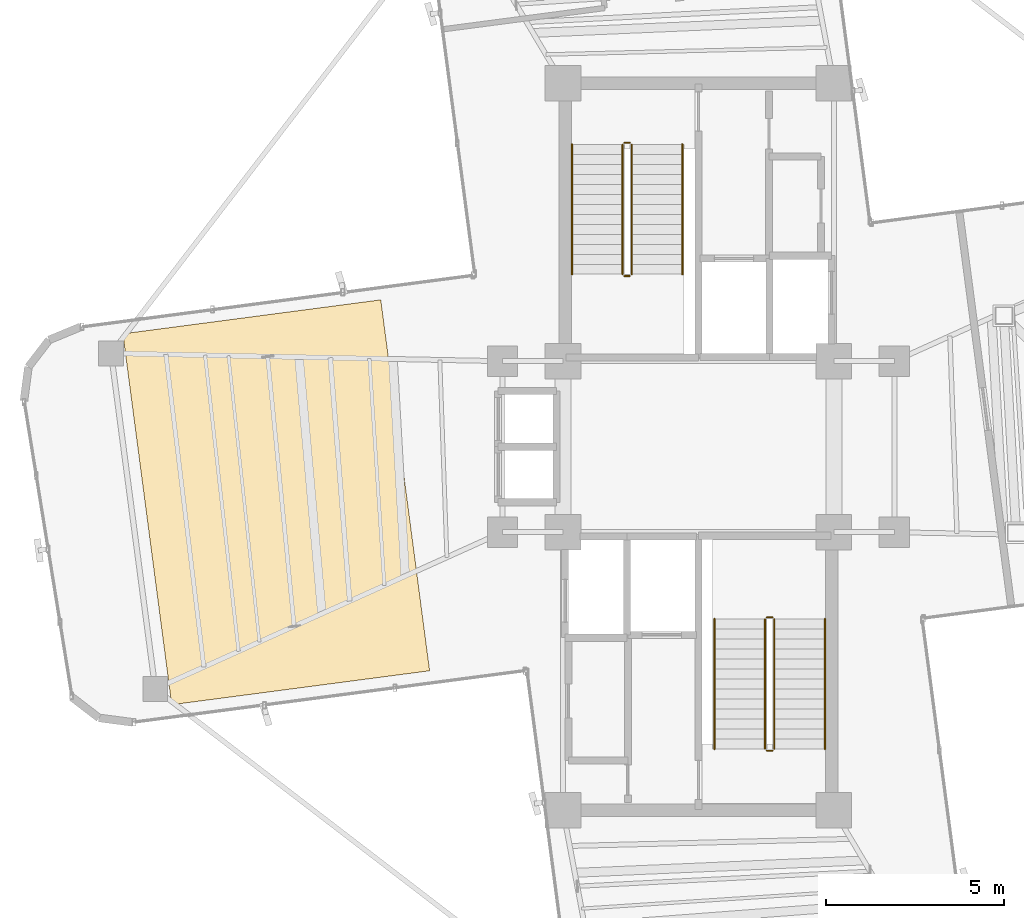
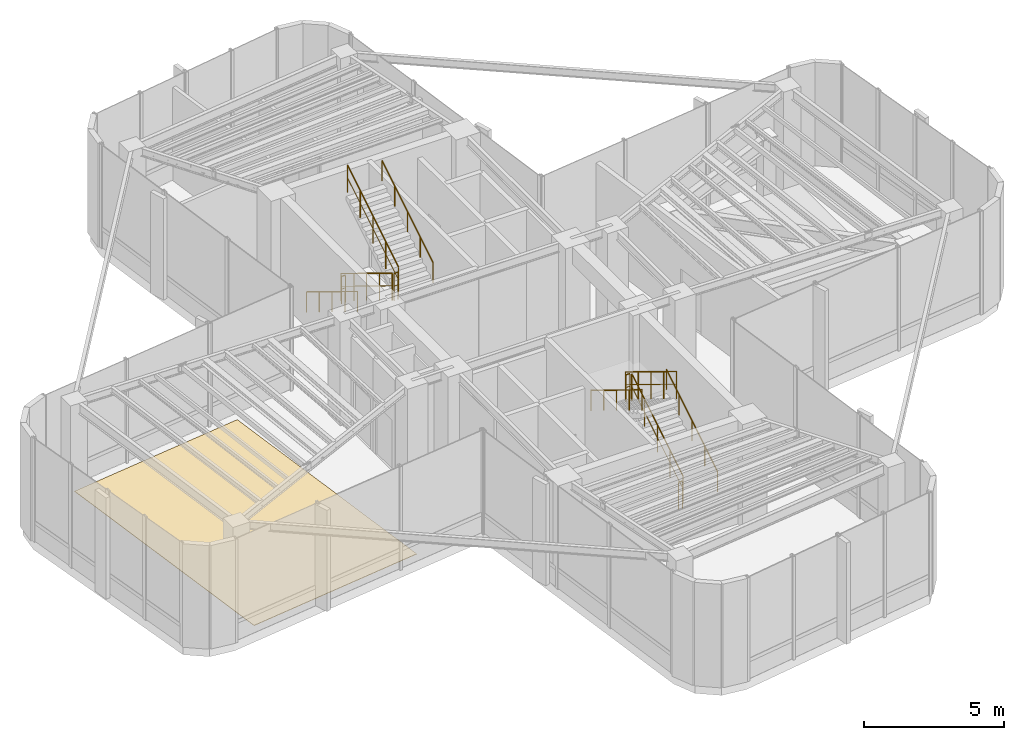
# One storey, part 16 of 16: 12 railings, 1 covering.
"""IFC4 building model written with IfcOpenShell, lengths in metres."""

from ifc_helpers import new_model, si_unit, direction, frame, origin, origin_2d, place, context, subcontext, project, spatial, polyline, circle, outline, extrude, material, layer, layer_set, type_object, element, save


model = new_model("IFC4")

# Units and contexts
model_context = context("Model", 3, precision=1e-05, world=origin(), true_north=direction((0.0, 1.0)))
body_context = subcontext(model_context, "Body", "Model", "MODEL_VIEW")
ifc_project = project(units=[si_unit("LENGTHUNIT", "METRE"), si_unit("AREAUNIT", "SQUARE_METRE"), si_unit("VOLUMEUNIT", "CUBIC_METRE"), si_unit("PLANEANGLEUNIT", "RADIAN"), si_unit("MASSUNIT", "GRAM", prefix="KILO")], contexts=[model_context])

# Site, building, storey
site_placement = place(None, origin())
site = spatial("IfcSite", under=ifc_project, at=site_placement, CompositionType="ELEMENT")
building_placement = place(site_placement, origin())
building = spatial("IfcBuilding", under=site, at=building_placement, Name="Sahyath Konkavel Grand Hotel", CompositionType="ELEMENT")
storey_placement = place(building_placement, frame((0.0, 0.0, 280.300048828125)))
storey = spatial("IfcBuildingStorey", under=building, at=storey_placement, Name="L78", CompositionType="ELEMENT", Elevation=280.300048828125)

# Covering
ifc_material_1 = material(Name="Polished Konkan Aggregate Terrazzo Flooring")
ifc_layer = layer(ifc_material_1, 0.02001953125)
ifc_layer_set = layer_set([ifc_layer], Name="Polished Konkan Aggregate Terrazzo Flooring")
covering_type = type_object("IfcCoveringType", Name="COV-TERRAZZO", PredefinedType="FLOORING", material=ifc_layer_set)
covering_placement = place(storey_placement, origin())
element("IfcCovering", 1, at=covering_placement, inside=storey, type_object=covering_type, Name="L78 Viewing Gallery Terrazzo Flooring", PredefinedType="FLOORING", context=body_context, shape_type="SweptSolid", body=[
    extrude(outline(polyline([(-8.914306640625, 4.12158203125), (-16.15185546875, 3.1689453125), (-14.78125, -7.2412109375), (-7.543701171875, -6.28857421875), (-8.914306640625, 4.12158203125)])), origin(), (0.0, 0.0, 1.0), 0.02001953125),
])

# Railings
ifc_material_2 = material(Name="Steel E350", Category="steel")
railing_type_1 = type_object("IfcRailingType", Name="RLG-STAIR-GRD", PredefinedType="GUARDRAIL", material=ifc_material_2)
railing_1_placement = place(storey_placement, frame((-2.1298828125, 8.47998046875, 0.17138671875)))
element("IfcRailing", 2, at=railing_1_placement, inside=storey, type_object=railing_type_1, Name="L78 ST-1 stair guard 1", PredefinedType="GUARDRAIL", context=body_context, shape_type="SweptSolid", body=[
    extrude(circle(Radius=0.02392578125, at=origin_2d()), frame((0.0, -0.001708984375, 1.177001953125), z_axis=(0.0, -0.852850264322, 0.5221555579), x_axis=(1.0, 0.0, 0.0)), (0.0, 0.0, 1.0), 4.263916015625),
    extrude(circle(Radius=0.01416015625, at=origin_2d()), frame((0.0, -0.001708984375, 0.625), z_axis=(0.0, -0.852850264322, 0.5221555579), x_axis=(1.0, 0.0, 0.0)), (0.0, 0.0, 1.0), 4.263916015625),
    extrude(circle(Radius=0.02099609375, at=origin_2d()), origin(), (0.0, 0.0, 1.0), 1.15185546875),
    extrude(circle(Radius=0.02099609375, at=origin_2d()), frame((0.0, -0.909912109375, 0.55712890625)), (0.0, 0.0, 1.0), 1.15185546875),
    extrude(circle(Radius=0.02099609375, at=origin_2d()), frame((0.0, -1.81982421875, 1.1142578125)), (0.0, 0.0, 1.0), 1.15185546875),
    extrude(circle(Radius=0.02099609375, at=origin_2d()), frame((0.0, -2.72998046875, 1.67138671875)), (0.0, 0.0, 1.0), 1.15185546875),
    extrude(circle(Radius=0.02099609375, at=origin_2d()), frame((0.0, -3.639892578125, 2.228515625)), (0.0, 0.0, 1.0), 1.15185546875),
])
railing_2_placement = place(storey_placement, frame((-2.080078125, 4.7900390625, 2.39990234375)))
element("IfcRailing", 3, at=railing_2_placement, inside=storey, type_object=railing_type_1, Name="L78 ST-1 stair guard 2", PredefinedType="GUARDRAIL", context=body_context, shape_type="SweptSolid", body=[
    extrude(circle(Radius=0.02392578125, at=origin_2d()), frame((0.001953125, 0.0, 1.17578125), z_axis=(1.0, 0.0, 0.0), x_axis=(0.0, 1.0, 0.0)), (0.0, 0.0, 1.0), 0.15625),
    extrude(circle(Radius=0.01416015625, at=origin_2d()), frame((0.001953125, 0.0, 0.6240234375), z_axis=(1.0, 0.0, 0.0), x_axis=(0.0, 1.0, 0.0)), (0.0, 0.0, 1.0), 0.15625),
    extrude(circle(Radius=0.02099609375, at=origin_2d()), origin(), (0.0, 0.0, 1.0), 1.15185546875),
    extrude(circle(Radius=0.02099609375, at=origin_2d()), frame((0.16015625, 0.0, 0.0)), (0.0, 0.0, 1.0), 1.15185546875),
])
railing_3_placement = place(storey_placement, frame((-1.8701171875, 4.840087890625, 2.5712890625)))
element("IfcRailing", 4, at=railing_3_placement, inside=storey, type_object=railing_type_1, Name="L78 ST-1 stair guard 3", PredefinedType="GUARDRAIL", context=body_context, shape_type="SweptSolid", body=[
    extrude(circle(Radius=0.02392578125, at=origin_2d()), frame((0.0, 0.001708984375, 1.177001953125), z_axis=(0.0, 0.852824790078, 0.522197163366), x_axis=(-1.0, 0.0, 0.0)), (0.0, 0.0, 1.0), 4.26416015625),
    extrude(circle(Radius=0.01416015625, at=origin_2d()), frame((0.0, 0.001708984375, 0.625), z_axis=(0.0, 0.852824790078, 0.522197163366), x_axis=(-1.0, 0.0, 0.0)), (0.0, 0.0, 1.0), 4.26416015625),
    extrude(circle(Radius=0.02099609375, at=origin_2d()), origin(), (0.0, 0.0, 1.0), 1.15185546875),
    extrude(circle(Radius=0.02099609375, at=origin_2d()), frame((0.0, 0.909912109375, 0.55712890625)), (0.0, 0.0, 1.0), 1.15185546875),
    extrude(circle(Radius=0.02099609375, at=origin_2d()), frame((0.0, 1.81982421875, 1.1142578125)), (0.0, 0.0, 1.0), 1.15185546875),
    extrude(circle(Radius=0.02099609375, at=origin_2d()), frame((0.0, 2.72998046875, 1.671630859375)), (0.0, 0.0, 1.0), 1.15185546875),
    extrude(circle(Radius=0.02099609375, at=origin_2d()), frame((0.0, 3.639892578125, 2.228759765625)), (0.0, 0.0, 1.0), 1.15185546875),
])
railing_4_placement = place(storey_placement, frame((-2.080078125, 8.530029296875, 0.0)))
element("IfcRailing", 5, at=railing_4_placement, inside=storey, type_object=railing_type_1, Name="L78 ST-1 stair guard 4", PredefinedType="GUARDRAIL", context=body_context, shape_type="SweptSolid", body=[
    extrude(circle(Radius=0.02392578125, at=origin_2d()), frame((0.001953125, 0.0, 1.17578125), z_axis=(1.0, 0.0, 0.0), x_axis=(0.0, 1.0, 0.0)), (0.0, 0.0, 1.0), 0.15625),
    extrude(circle(Radius=0.01416015625, at=origin_2d()), frame((0.001953125, 0.0, 0.6240234375), z_axis=(1.0, 0.0, 0.0), x_axis=(0.0, 1.0, 0.0)), (0.0, 0.0, 1.0), 0.15625),
    extrude(circle(Radius=0.02099609375, at=origin_2d()), origin(), (0.0, 0.0, 1.0), 1.15185546875),
    extrude(circle(Radius=0.02099609375, at=origin_2d()), frame((0.16015625, 0.0, 0.0)), (0.0, 0.0, 1.0), 1.15185546875),
])
railing_5_placement = place(storey_placement, frame((2.1298828125, -8.47998046875, 0.17138671875)))
element("IfcRailing", 6, at=railing_5_placement, inside=storey, type_object=railing_type_1, Name="L78 ST-2 stair guard 1", PredefinedType="GUARDRAIL", context=body_context, shape_type="SweptSolid", body=[
    extrude(circle(Radius=0.02392578125, at=origin_2d()), frame((0.0, 0.001708984375, 1.177001953125), z_axis=(0.0, 0.852850264322, 0.5221555579), x_axis=(-1.0, 0.0, 0.0)), (0.0, 0.0, 1.0), 4.263916015625),
    extrude(circle(Radius=0.01416015625, at=origin_2d()), frame((0.0, 0.001708984375, 0.625), z_axis=(0.0, 0.852850264322, 0.5221555579), x_axis=(-1.0, 0.0, 0.0)), (0.0, 0.0, 1.0), 4.263916015625),
    extrude(circle(Radius=0.02099609375, at=origin_2d()), origin(), (0.0, 0.0, 1.0), 1.15185546875),
    extrude(circle(Radius=0.02099609375, at=origin_2d()), frame((0.0, 0.909912109375, 0.55712890625)), (0.0, 0.0, 1.0), 1.15185546875),
    extrude(circle(Radius=0.02099609375, at=origin_2d()), frame((0.0, 1.81982421875, 1.1142578125)), (0.0, 0.0, 1.0), 1.15185546875),
    extrude(circle(Radius=0.02099609375, at=origin_2d()), frame((0.0, 2.72998046875, 1.67138671875)), (0.0, 0.0, 1.0), 1.15185546875),
    extrude(circle(Radius=0.02099609375, at=origin_2d()), frame((0.0, 3.639892578125, 2.228515625)), (0.0, 0.0, 1.0), 1.15185546875),
])
railing_6_placement = place(storey_placement, frame((2.080078125, -4.7900390625, 2.39990234375)))
element("IfcRailing", 7, at=railing_6_placement, inside=storey, type_object=railing_type_1, Name="L78 ST-2 stair guard 2", PredefinedType="GUARDRAIL", context=body_context, shape_type="SweptSolid", body=[
    extrude(circle(Radius=0.02392578125, at=origin_2d()), frame((-0.001953125, 0.0, 1.17578125), z_axis=(-1.0, 0.0, 0.0), x_axis=(0.0, -1.0, 0.0)), (0.0, 0.0, 1.0), 0.15625),
    extrude(circle(Radius=0.01416015625, at=origin_2d()), frame((-0.001953125, 0.0, 0.6240234375), z_axis=(-1.0, 0.0, 0.0), x_axis=(0.0, -1.0, 0.0)), (0.0, 0.0, 1.0), 0.15625),
    extrude(circle(Radius=0.02099609375, at=origin_2d()), origin(), (0.0, 0.0, 1.0), 1.15185546875),
    extrude(circle(Radius=0.02099609375, at=origin_2d()), frame((-0.16015625, 0.0, 0.0)), (0.0, 0.0, 1.0), 1.15185546875),
])
railing_7_placement = place(storey_placement, frame((1.8701171875, -4.840087890625, 2.5712890625)))
element("IfcRailing", 8, at=railing_7_placement, inside=storey, type_object=railing_type_1, Name="L78 ST-2 stair guard 3", PredefinedType="GUARDRAIL", context=body_context, shape_type="SweptSolid", body=[
    extrude(circle(Radius=0.02392578125, at=origin_2d()), frame((0.0, -0.001708984375, 1.177001953125), z_axis=(0.0, -0.852824790078, 0.522197163366), x_axis=(1.0, 0.0, 0.0)), (0.0, 0.0, 1.0), 4.26416015625),
    extrude(circle(Radius=0.01416015625, at=origin_2d()), frame((0.0, -0.001708984375, 0.625), z_axis=(0.0, -0.852824790078, 0.522197163366), x_axis=(1.0, 0.0, 0.0)), (0.0, 0.0, 1.0), 4.26416015625),
    extrude(circle(Radius=0.02099609375, at=origin_2d()), origin(), (0.0, 0.0, 1.0), 1.15185546875),
    extrude(circle(Radius=0.02099609375, at=origin_2d()), frame((0.0, -0.909912109375, 0.55712890625)), (0.0, 0.0, 1.0), 1.15185546875),
    extrude(circle(Radius=0.02099609375, at=origin_2d()), frame((0.0, -1.81982421875, 1.1142578125)), (0.0, 0.0, 1.0), 1.15185546875),
    extrude(circle(Radius=0.02099609375, at=origin_2d()), frame((0.0, -2.72998046875, 1.671630859375)), (0.0, 0.0, 1.0), 1.15185546875),
    extrude(circle(Radius=0.02099609375, at=origin_2d()), frame((0.0, -3.639892578125, 2.228759765625)), (0.0, 0.0, 1.0), 1.15185546875),
])
railing_8_placement = place(storey_placement, frame((2.080078125, -8.530029296875, 0.0)))
element("IfcRailing", 9, at=railing_8_placement, inside=storey, type_object=railing_type_1, Name="L78 ST-2 stair guard 4", PredefinedType="GUARDRAIL", context=body_context, shape_type="SweptSolid", body=[
    extrude(circle(Radius=0.02392578125, at=origin_2d()), frame((-0.001953125, 0.0, 1.17578125), z_axis=(-1.0, 0.0, 0.0), x_axis=(0.0, -1.0, 0.0)), (0.0, 0.0, 1.0), 0.15625),
    extrude(circle(Radius=0.01416015625, at=origin_2d()), frame((-0.001953125, 0.0, 0.6240234375), z_axis=(-1.0, 0.0, 0.0), x_axis=(0.0, -1.0, 0.0)), (0.0, 0.0, 1.0), 0.15625),
    extrude(circle(Radius=0.02099609375, at=origin_2d()), origin(), (0.0, 0.0, 1.0), 1.15185546875),
    extrude(circle(Radius=0.02099609375, at=origin_2d()), frame((-0.16015625, 0.0, 0.0)), (0.0, 0.0, 1.0), 1.15185546875),
])
ifc_material_3 = material(Name="Anodised Bronze Aluminium", Category="aluminium")
railing_type_2 = type_object("IfcRailingType", Name="RLG-STAIR-HND", PredefinedType="HANDRAIL", material=ifc_material_3)
railing_9_placement = place(storey_placement, frame((-3.550048828125, 8.47998046875, 0.17138671875)))
element("IfcRailing", 10, at=railing_9_placement, inside=storey, type_object=railing_type_2, Name="L78 ST-1 stair handrail 1", PredefinedType="HANDRAIL", context=body_context, shape_type="SweptSolid", body=[
    extrude(circle(Radius=0.02392578125, at=origin_2d()), frame((0.0, -0.001708984375, 0.876953125), z_axis=(0.0, -0.852850264322, 0.5221555579), x_axis=(1.0, 0.0, 0.0)), (0.0, 0.0, 1.0), 4.263916015625),
    extrude(circle(Radius=0.02099609375, at=origin_2d()), origin(), (0.0, 0.0, 1.0), 0.851806640625),
    extrude(circle(Radius=0.02099609375, at=origin_2d()), frame((0.0, -0.909912109375, 0.55712890625)), (0.0, 0.0, 1.0), 0.851806640625),
    extrude(circle(Radius=0.02099609375, at=origin_2d()), frame((0.0, -1.81982421875, 1.1142578125)), (0.0, 0.0, 1.0), 0.851806640625),
    extrude(circle(Radius=0.02099609375, at=origin_2d()), frame((0.0, -2.72998046875, 1.67138671875)), (0.0, 0.0, 1.0), 0.851806640625),
    extrude(circle(Radius=0.02099609375, at=origin_2d()), frame((0.0, -3.639892578125, 2.228515625)), (0.0, 0.0, 1.0), 0.851806640625),
])
railing_10_placement = place(storey_placement, frame((-0.449951171875, 4.840087890625, 2.5712890625)))
element("IfcRailing", 11, at=railing_10_placement, inside=storey, type_object=railing_type_2, Name="L78 ST-1 stair handrail 2", PredefinedType="HANDRAIL", context=body_context, shape_type="SweptSolid", body=[
    extrude(circle(Radius=0.02392578125, at=origin_2d()), frame((0.0, 0.001708984375, 0.876953125), z_axis=(0.0, 0.852824790078, 0.522197163366), x_axis=(-1.0, 0.0, 0.0)), (0.0, 0.0, 1.0), 4.26416015625),
    extrude(circle(Radius=0.02099609375, at=origin_2d()), origin(), (0.0, 0.0, 1.0), 0.851806640625),
    extrude(circle(Radius=0.02099609375, at=origin_2d()), frame((0.0, 0.909912109375, 0.55712890625)), (0.0, 0.0, 1.0), 0.851806640625),
    extrude(circle(Radius=0.02099609375, at=origin_2d()), frame((0.0, 1.81982421875, 1.1142578125)), (0.0, 0.0, 1.0), 0.851806640625),
    extrude(circle(Radius=0.02099609375, at=origin_2d()), frame((0.0, 2.72998046875, 1.671630859375)), (0.0, 0.0, 1.0), 0.851806640625),
    extrude(circle(Radius=0.02099609375, at=origin_2d()), frame((0.0, 3.639892578125, 2.228759765625)), (0.0, 0.0, 1.0), 0.851806640625),
])
railing_11_placement = place(storey_placement, frame((3.550048828125, -8.47998046875, 0.17138671875)))
element("IfcRailing", 12, at=railing_11_placement, inside=storey, type_object=railing_type_2, Name="L78 ST-2 stair handrail 1", PredefinedType="HANDRAIL", context=body_context, shape_type="SweptSolid", body=[
    extrude(circle(Radius=0.02392578125, at=origin_2d()), frame((0.0, 0.001708984375, 0.876953125), z_axis=(0.0, 0.852850264322, 0.5221555579), x_axis=(-1.0, 0.0, 0.0)), (0.0, 0.0, 1.0), 4.263916015625),
    extrude(circle(Radius=0.02099609375, at=origin_2d()), origin(), (0.0, 0.0, 1.0), 0.851806640625),
    extrude(circle(Radius=0.02099609375, at=origin_2d()), frame((0.0, 0.909912109375, 0.55712890625)), (0.0, 0.0, 1.0), 0.851806640625),
    extrude(circle(Radius=0.02099609375, at=origin_2d()), frame((0.0, 1.81982421875, 1.1142578125)), (0.0, 0.0, 1.0), 0.851806640625),
    extrude(circle(Radius=0.02099609375, at=origin_2d()), frame((0.0, 2.72998046875, 1.67138671875)), (0.0, 0.0, 1.0), 0.851806640625),
    extrude(circle(Radius=0.02099609375, at=origin_2d()), frame((0.0, 3.639892578125, 2.228515625)), (0.0, 0.0, 1.0), 0.851806640625),
])
railing_12_placement = place(storey_placement, frame((0.449951171875, -4.840087890625, 2.5712890625)))
element("IfcRailing", 13, at=railing_12_placement, inside=storey, type_object=railing_type_2, Name="L78 ST-2 stair handrail 2", PredefinedType="HANDRAIL", context=body_context, shape_type="SweptSolid", body=[
    extrude(circle(Radius=0.02392578125, at=origin_2d()), frame((0.0, -0.001708984375, 0.876953125), z_axis=(0.0, -0.852824790078, 0.522197163366), x_axis=(1.0, 0.0, 0.0)), (0.0, 0.0, 1.0), 4.26416015625),
    extrude(circle(Radius=0.02099609375, at=origin_2d()), origin(), (0.0, 0.0, 1.0), 0.851806640625),
    extrude(circle(Radius=0.02099609375, at=origin_2d()), frame((0.0, -0.909912109375, 0.55712890625)), (0.0, 0.0, 1.0), 0.851806640625),
    extrude(circle(Radius=0.02099609375, at=origin_2d()), frame((0.0, -1.81982421875, 1.1142578125)), (0.0, 0.0, 1.0), 0.851806640625),
    extrude(circle(Radius=0.02099609375, at=origin_2d()), frame((0.0, -2.72998046875, 1.671630859375)), (0.0, 0.0, 1.0), 0.851806640625),
    extrude(circle(Radius=0.02099609375, at=origin_2d()), frame((0.0, -3.639892578125, 2.228759765625)), (0.0, 0.0, 1.0), 0.851806640625),
])

save(model, "model.ifc")
